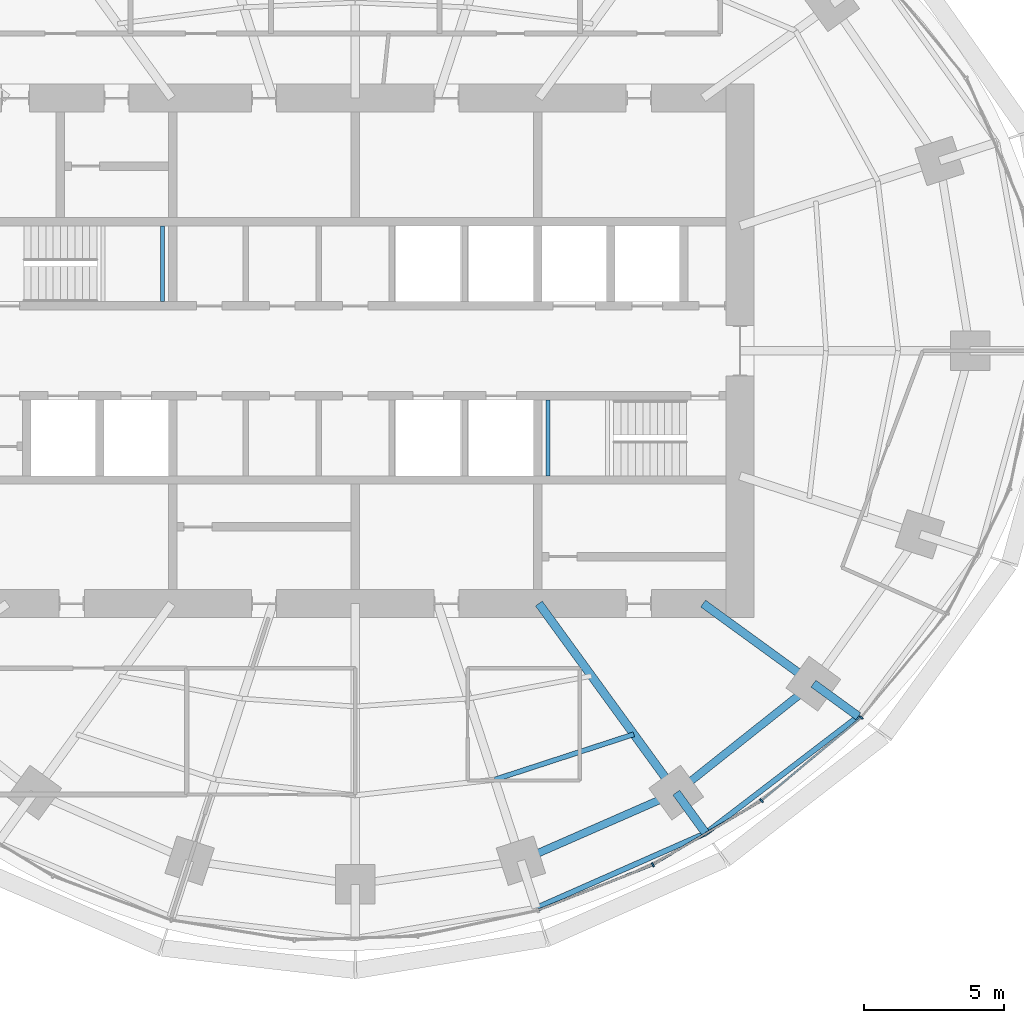
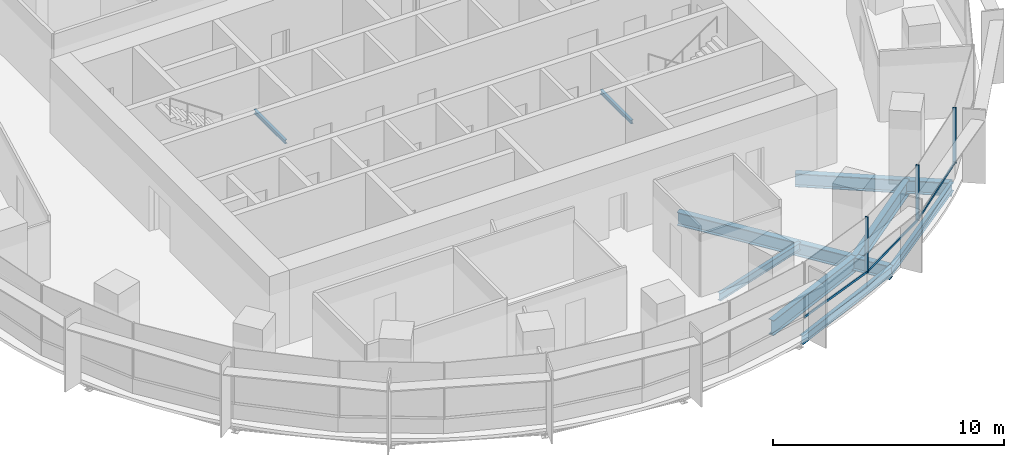
# One storey, part 5 of 14: 11 beams, 6 members, 2 elements without a shape of their own.
"""IFC4 building model written with IfcOpenShell, lengths in metres."""

from ifc_helpers import new_model, si_unit, direction, frame, origin, origin_2d, place, context, subcontext, project, spatial, rectangle, i_section, extrude, material, material_profile, profile_set, type_object, element, aggregate, save


model = new_model("IFC4")

# Units and contexts
model_context = context("Model", 3, precision=1e-05, world=origin(), true_north=direction((0.0, 1.0)))
body_context = subcontext(model_context, "Body", "Model", "MODEL_VIEW")
ifc_project = project(units=[si_unit("LENGTHUNIT", "METRE"), si_unit("AREAUNIT", "SQUARE_METRE"), si_unit("VOLUMEUNIT", "CUBIC_METRE"), si_unit("PLANEANGLEUNIT", "RADIAN"), si_unit("MASSUNIT", "GRAM", prefix="KILO")], contexts=[model_context])

# Site, building, storey
site_placement = place(None, origin())
site = spatial("IfcSite", under=ifc_project, at=site_placement, CompositionType="ELEMENT")
building_placement = place(site_placement, origin())
building = spatial("IfcBuilding", under=site, at=building_placement, Name="Marramba Exchange Tower", CompositionType="ELEMENT")
storey_placement = place(building_placement, frame((0.0, 0.0, 238.39990234375)))
storey = spatial("IfcBuildingStorey", under=building, at=storey_placement, Name="L58", CompositionType="ELEMENT", Elevation=238.39990234375)

# Beams
ifc_material_1 = material(Name="Steel AS/NZS 3679.2 grade 300", Category="steel")
ifc_material_profile_1 = material_profile(ifc_material_1, i_section(OverallWidth=0.300048828125, OverallDepth=0.699951171875, WebThickness=0.010009765625, FlangeThickness=0.031982421875, at=origin_2d()), Name="700WB173")
ifc_profile_set_1 = profile_set([ifc_material_profile_1], Name="Steel AS/NZS 3679.2 grade 300")
beam_type_1 = type_object("IfcBeamType", Name="Cantilever girder 700WB173", PredefinedType="BEAM", material=ifc_profile_set_1)
beam_1_placement = place(storey_placement, frame((11.430419921875, -15.732666015625, -0.510009765625), z_axis=(0.58783009415, -0.808984412959, 0.0), x_axis=(0.808984412959, 0.58783009415, 0.0)))
element("IfcBeam", 1, at=beam_1_placement, inside=storey, type_object=beam_type_1, Name="Cantilever girder L58 TC18", PredefinedType="BEAM", context=body_context, shape_type="SweptSolid", body=[
    extrude(i_section(OverallWidth=0.300048828125, OverallDepth=0.699951171875, WebThickness=0.010009765625, FlangeThickness=0.031982421875, at=origin_2d()), origin(), (0.0, 0.0, 1.0), 1.78515625),
])
beam_2_placement = place(storey_placement, frame((16.3154296875, -11.853759765625, -0.510009765625), z_axis=(0.808970801893, -0.587848825537, 0.0), x_axis=(0.587848825537, 0.808970801893, 0.0)))
element("IfcBeam", 2, at=beam_2_placement, inside=storey, type_object=beam_type_1, Name="Cantilever girder L58 TC19", PredefinedType="BEAM", context=body_context, shape_type="SweptSolid", body=[
    extrude(i_section(OverallWidth=0.300048828125, OverallDepth=0.699951171875, WebThickness=0.010009765625, FlangeThickness=0.031982421875, at=origin_2d()), origin(), (0.0, 0.0, 1.0), 1.978515625),
])
ifc_material_2 = material(Name="Steel AS/NZS 3679.1 grade 300", Category="steel")
ifc_material_profile_2 = material_profile(ifc_material_2, i_section(OverallWidth=0.177978515625, OverallDepth=0.406005859375, WebThickness=0.0078125, FlangeThickness=0.0126953125, FilletRadius=0.011474609375, at=origin_2d()), Name="410UB59.7")
ifc_profile_set_2 = profile_set([ifc_material_profile_2], Name="Steel AS/NZS 3679.1 grade 300")
beam_type_2 = type_object("IfcBeamType", Name="Floor joist 410UB59.7", PredefinedType="JOIST", material=ifc_profile_set_2)
beam_3_placement = place(storey_placement, frame((4.9619140625, -15.271484375, -0.36279296875), z_axis=(0.950764024931, 0.309915744834, 0.0), x_axis=(-0.309915744834, 0.950764024931, 0.0)))
element("IfcBeam", 3, at=beam_3_placement, inside=storey, type_object=beam_type_2, Name="Joist L58 bay 17 row 2", PredefinedType="JOIST", context=body_context, shape_type="SweptSolid", body=[
    extrude(i_section(OverallWidth=0.177978515625, OverallDepth=0.406005859375, WebThickness=0.0078125, FlangeThickness=0.0126953125, FilletRadius=0.011474609375, at=origin_2d()), origin(), (0.0, 0.0, 1.0), 5.2158203125),
])

# Curtain wall, members
ifc_material_3 = material(Name="Aluminium framing, bronze anodised", Category="aluminium")
curtain_wall_type = type_object("IfcCurtainWallType", Name="Office ribbon curtain wall", PredefinedType="USERDEFINED", material=ifc_material_3)
curtain_wall_1_placement = place(storey_placement, origin())
curtain_wall_1 = element("IfcCurtainWall", 4, at=curtain_wall_1_placement, inside=storey, type_object=curtain_wall_type, Name="Curtain wall CW4 L58 F26-F30", ObjectType="RIBBON CURTAIN WALL", PredefinedType="USERDEFINED")
ifc_material_4 = material(Name="Aluminium mullion, bronze anodised", Category="aluminium")
ifc_material_profile_3 = material_profile(ifc_material_4, rectangle(XDim=0.159912109375, YDim=0.06005859375, at=origin_2d()), Name="CW4 mullion 60x160")
ifc_profile_set_3 = profile_set([ifc_material_profile_3], Name="Aluminium mullion, bronze anodised")
member_type_1 = type_object("IfcMemberType", Name="Office ribbon curtain wall mullion", PredefinedType="MULLION", material=ifc_profile_set_3)
member_1_placement = place(storey_placement, frame((10.60009765625, -18.2998046875, 0.800048828125), z_axis=(0.0, 0.0, 1.0), x_axis=(-0.508010571686, 0.861350833897, 0.0)))
member_1 = element("IfcMember", 5, at=member_1_placement, type_object=member_type_1, Name="CW4 mullion 1", PredefinedType="MULLION", context=body_context, shape_type="SweptSolid", body=[
    extrude(rectangle(XDim=0.159912109375, YDim=0.06005859375, at=origin_2d()), origin(), (0.0, 0.0, 1.0), 2.93994140625),
])
member_2_placement = place(storey_placement, frame((14.461669921875, -16.0166015625, 0.800048828125), z_axis=(0.0, 0.0, 1.0), x_axis=(-0.639565270127, 0.768736798421, 0.0)))
member_2 = element("IfcMember", 6, at=member_2_placement, type_object=member_type_1, Name="CW4 mullion 1", PredefinedType="MULLION", context=body_context, shape_type="SweptSolid", body=[
    extrude(rectangle(XDim=0.159912109375, YDim=0.06005859375, at=origin_2d()), origin(), (0.0, 0.0, 1.0), 2.93994140625),
])
member_3_placement = place(storey_placement, frame((18.01611328125, -13.052490234375, 0.800048828125), z_axis=(0.0, 0.0, 1.0), x_axis=(-0.769912069289, 0.63814998673, 0.0)))
member_3 = element("IfcMember", 7, at=member_3_placement, type_object=member_type_1, Name="CW4 mullion 1", PredefinedType="MULLION", context=body_context, shape_type="SweptSolid", body=[
    extrude(rectangle(XDim=0.159912109375, YDim=0.06005859375, at=origin_2d()), origin(), (0.0, 0.0, 1.0), 2.93994140625),
])

# Curtain wall, member
curtain_wall_2_placement = place(storey_placement, origin())
curtain_wall_2 = element("IfcCurtainWall", 8, at=curtain_wall_2_placement, inside=storey, type_object=curtain_wall_type, Name="Curtain wall CW4 L58 F21-F25", ObjectType="RIBBON CURTAIN WALL", PredefinedType="USERDEFINED")
ifc_material_5 = material(Name="Aluminium transom, bronze anodised", Category="aluminium")
ifc_material_profile_4 = material_profile(ifc_material_5, rectangle(XDim=0.06005859375, YDim=0.1201171875, at=origin_2d()), Name="CW4 transom 60x120")
ifc_profile_set_4 = profile_set([ifc_material_profile_4], Name="Aluminium transom, bronze anodised")
member_type_2 = type_object("IfcMemberType", Name="Office ribbon curtain wall transom", PredefinedType="USERDEFINED", material=ifc_profile_set_4)
member_4_placement = place(storey_placement, frame((6.53271484375, -19.911376953125, 0.830078125), z_axis=(0.930068344217, 0.367386547229, 0.0), x_axis=(-0.367386547229, 0.930068344217, 0.0)))
member_4 = element("IfcMember", 9, at=member_4_placement, type_object=member_type_2, Name="CW4 sill transom", ObjectType="TRANSOM", PredefinedType="USERDEFINED", context=body_context, shape_type="SweptSolid", body=[
    extrude(rectangle(XDim=0.06005859375, YDim=0.1201171875, at=origin_2d()), origin(), (0.0, 0.0, 1.0), 4.345458984375),
])
aggregate(curtain_wall_2, [member_4])

# Member
member_5_placement = place(storey_placement, frame((10.6259765625, -18.28466796875, 0.830078125), z_axis=(0.861342387959, 0.508024891816, 0.0), x_axis=(-0.508024891816, 0.861342387959, 0.0)))
member_5 = element("IfcMember", 10, at=member_5_placement, type_object=member_type_2, Name="CW4 sill transom", ObjectType="TRANSOM", PredefinedType="USERDEFINED", context=body_context, shape_type="SweptSolid", body=[
    extrude(rectangle(XDim=0.06005859375, YDim=0.1201171875, at=origin_2d()), origin(), (0.0, 0.0, 1.0), 4.426513671875),
])

member_6_placement = place(storey_placement, frame((14.48486328125, -15.99755859375, 0.830078125), z_axis=(0.768707257272, 0.639600775967, 0.0), x_axis=(-0.639600775967, 0.768707257272, 0.0)))
member_6 = element("IfcMember", 11, at=member_6_placement, type_object=member_type_2, Name="CW4 sill transom", ObjectType="TRANSOM", PredefinedType="USERDEFINED", context=body_context, shape_type="SweptSolid", body=[
    extrude(rectangle(XDim=0.06005859375, YDim=0.1201171875, at=origin_2d()), origin(), (0.0, 0.0, 1.0), 4.568603515625),
])

aggregate(curtain_wall_1, [member_1, member_5, member_2, member_6, member_3])

# Beams
ifc_material_profile_5 = material_profile(ifc_material_1, i_section(OverallWidth=0.300048828125, OverallDepth=0.699951171875, WebThickness=0.010009765625, FlangeThickness=0.031982421875, at=origin_2d()), Name="700WB173")
ifc_profile_set_5 = profile_set([ifc_material_profile_5], Name="Steel AS/NZS 3679.2 grade 300")
beam_type_3 = type_object("IfcBeamType", Name="Radial girder 700WB173", PredefinedType="BEAM", material=ifc_profile_set_5)
beam_4_placement = place(storey_placement, frame((6.538818359375, -9.0, -0.510009765625), z_axis=(0.587787877172, -0.809015087282, 0.0), x_axis=(0.809015087282, 0.587787877172, 0.0)))
element("IfcBeam", 12, at=beam_4_placement, inside=storey, type_object=beam_type_3, Name="Radial girder L58 TC18", PredefinedType="BEAM", context=body_context, shape_type="SweptSolid", body=[
    extrude(i_section(OverallWidth=0.300048828125, OverallDepth=0.699951171875, WebThickness=0.010009765625, FlangeThickness=0.031982421875, at=origin_2d()), origin(), (0.0, 0.0, 1.0), 8.322021484375),
])
beam_5_placement = place(storey_placement, frame((12.387451171875, -9.0, -0.510009765625), z_axis=(0.809025189606, -0.58777397236, 0.0), x_axis=(0.58777397236, 0.809025189606, 0.0)))
element("IfcBeam", 13, at=beam_5_placement, inside=storey, type_object=beam_type_3, Name="Radial girder L58 TC19", PredefinedType="BEAM", context=body_context, shape_type="SweptSolid", body=[
    extrude(i_section(OverallWidth=0.300048828125, OverallDepth=0.699951171875, WebThickness=0.010009765625, FlangeThickness=0.031982421875, at=origin_2d()), origin(), (0.0, 0.0, 1.0), 4.855224609375),
])
ifc_material_profile_6 = material_profile(ifc_material_1, i_section(OverallWidth=0.27490234375, OverallDepth=0.800048828125, WebThickness=0.010009765625, FlangeThickness=0.02490234375, at=origin_2d()), Name="800WB168")
ifc_profile_set_6 = profile_set([ifc_material_profile_6], Name="Steel AS/NZS 3679.2 grade 300")
beam_type_4 = type_object("IfcBeamType", Name="Ring beam 800WB168", PredefinedType="SPANDREL", material=ifc_profile_set_6)
beam_6_placement = place(storey_placement, frame((5.899658203125, -18.156982421875, -0.559814453125), z_axis=(0.915876892158, 0.4014592363, 0.0), x_axis=(-0.4014592363, 0.915876892158, 0.0)))
element("IfcBeam", 14, at=beam_6_placement, inside=storey, type_object=beam_type_4, Name="Ring beam L58 TC17-TC18", PredefinedType="SPANDREL", context=body_context, shape_type="SweptSolid", body=[
    extrude(i_section(OverallWidth=0.27490234375, OverallDepth=0.800048828125, WebThickness=0.010009765625, FlangeThickness=0.02490234375, at=origin_2d()), origin(), (0.0, 0.0, 1.0), 6.038818359375),
])
beam_7_placement = place(storey_placement, frame((11.430419921875, -15.732666015625, -0.559814453125), z_axis=(0.783139438128, 0.621846138887, 0.0), x_axis=(-0.621846138887, 0.783139438128, 0.0)))
element("IfcBeam", 15, at=beam_7_placement, inside=storey, type_object=beam_type_4, Name="Ring beam L58 TC18-TC19", PredefinedType="SPANDREL", context=body_context, shape_type="SweptSolid", body=[
    extrude(i_section(OverallWidth=0.27490234375, OverallDepth=0.800048828125, WebThickness=0.010009765625, FlangeThickness=0.02490234375, at=origin_2d()), origin(), (0.0, 0.0, 1.0), 6.23779296875),
])
ifc_material_profile_7 = material_profile(ifc_material_2, i_section(OverallWidth=0.19091796875, OverallDepth=0.4599609375, WebThickness=0.010009765625, FlangeThickness=0.01611328125, FilletRadius=0.011474609375, at=origin_2d()), Name="460UB82.1")
ifc_profile_set_7 = profile_set([ifc_material_profile_7], Name="Steel AS/NZS 3679.1 grade 300")
beam_type_5 = type_object("IfcBeamType", Name="Slab edge beam 460UB82.1", PredefinedType="SPANDREL", material=ifc_profile_set_7)
beam_8_placement = place(storey_placement, frame((6.44580078125, -19.83837890625, -0.389892578125), z_axis=(0.914940719579, 0.403588255102, 0.0), x_axis=(-0.403588255102, 0.914940719579, 0.0)))
element("IfcBeam", 16, at=beam_8_placement, inside=storey, type_object=beam_type_5, Name="Slab edge beam L58 TC17-TC18", PredefinedType="SPANDREL", context=body_context, shape_type="SweptSolid", body=[
    extrude(i_section(OverallWidth=0.19091796875, OverallDepth=0.4599609375, WebThickness=0.010009765625, FlangeThickness=0.01611328125, FilletRadius=0.011474609375, at=origin_2d()), origin(), (0.0, 0.0, 1.0), 6.594970703125),
])
beam_9_placement = place(storey_placement, frame((12.479736328125, -17.1767578125, -0.389892578125), z_axis=(0.794163423189, 0.607704251481, 0.0), x_axis=(-0.607704251481, 0.794163423189, 0.0)))
element("IfcBeam", 17, at=beam_9_placement, inside=storey, type_object=beam_type_5, Name="Slab edge beam L58 TC18-TC19", PredefinedType="SPANDREL", context=body_context, shape_type="SweptSolid", body=[
    extrude(i_section(OverallWidth=0.19091796875, OverallDepth=0.4599609375, WebThickness=0.010009765625, FlangeThickness=0.01611328125, FilletRadius=0.011474609375, at=origin_2d()), origin(), (0.0, 0.0, 1.0), 6.84521484375),
])
ifc_material_profile_8 = material_profile(ifc_material_2, i_section(OverallWidth=0.133056640625, OverallDepth=0.202880859375, WebThickness=0.005859375, FlangeThickness=0.0078125, FilletRadius=0.0087890625, at=origin_2d()), Name="200UB25.4")
ifc_profile_set_8 = profile_set([ifc_material_profile_8], Name="Steel AS/NZS 3679.1 grade 300")
beam_type_6 = type_object("IfcBeamType", Name="Stair landing beam 200UB25.4", PredefinedType="BEAM", material=ifc_profile_set_8)
for number, where, z_axis, x_axis, name in (
    (18, (-6.866455078125, 1.75, 1.648681640625), (0.0, 1.0, 0.0), (-1.0, 0.0, 0.0), "Stair landing beam SLB1 ST1 L58 2"),
    (19, (6.866455078125, -4.449951171875, 1.648681640625), (0.0, 1.0, 0.0), (-1.0, 0.0, 0.0), "Stair landing beam SLB1 ST2 L58 1"),
):
    element("IfcBeam", number, at=place(storey_placement, frame(where, z_axis=z_axis, x_axis=x_axis)), inside=storey, type_object=beam_type_6, Name=name, PredefinedType="BEAM", context=body_context, shape_type="SweptSolid", body=[
        extrude(i_section(OverallWidth=0.133056640625, OverallDepth=0.202880859375, WebThickness=0.005859375, FlangeThickness=0.0078125, FilletRadius=0.0087890625, at=origin_2d()), origin(), (0.0, 0.0, 1.0), 2.699951171875),
    ])

save(model, "model.ifc")
